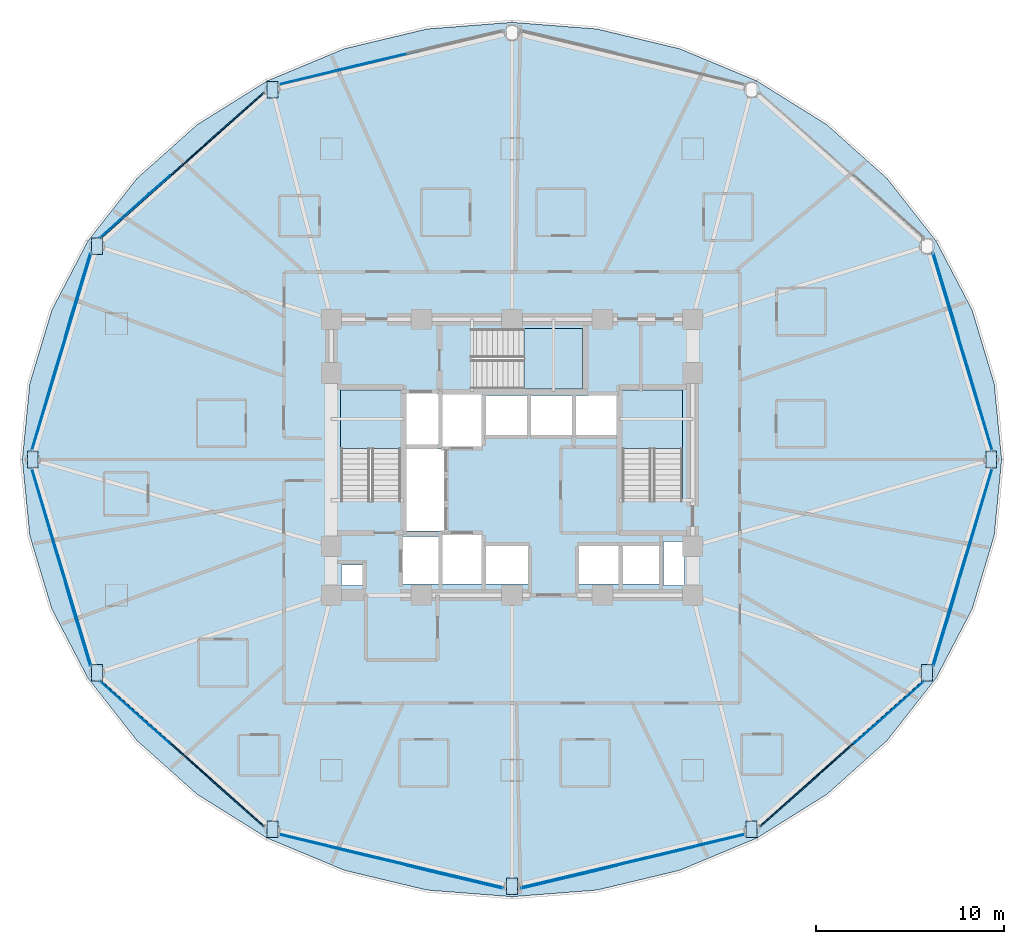
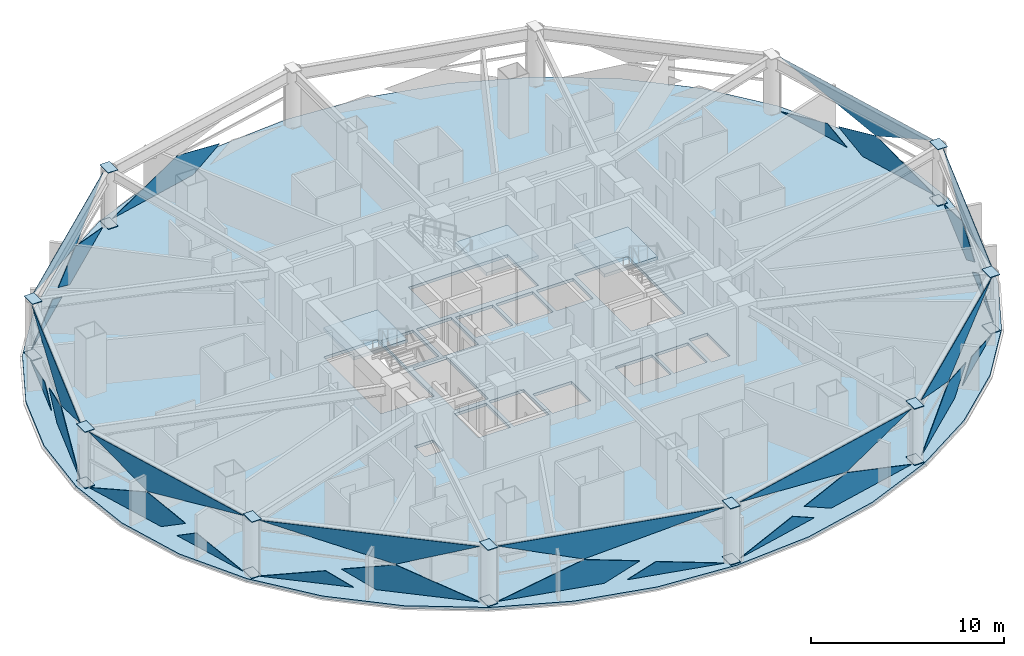
# One storey, part 22 of 31: 46 plates, 4 slabs, 13 elements without a shape of their own.
"""IFC4 building model written with IfcOpenShell, lengths in metres."""

from ifc_helpers import new_model, si_unit, direction, frame, origin, place, context, subcontext, project, spatial, polyline, outline, extrude, material, layer, layer_set, type_object, element, aggregate, save


model = new_model("IFC4")

# Units and contexts
model_context = context("Model", 3, precision=1e-05, world=origin(), true_north=direction((0.0, 1.0)))
body_context = subcontext(model_context, "Body", "Model", "MODEL_VIEW")
ifc_project = project(units=[si_unit("LENGTHUNIT", "METRE"), si_unit("AREAUNIT", "SQUARE_METRE"), si_unit("VOLUMEUNIT", "CUBIC_METRE"), si_unit("PLANEANGLEUNIT", "RADIAN"), si_unit("MASSUNIT", "GRAM", prefix="KILO")], contexts=[model_context])

# Site, building, storey
site_placement = place(None, origin())
site = spatial("IfcSite", under=ifc_project, at=site_placement, CompositionType="ELEMENT")
building_placement = place(site_placement, origin())
building = spatial("IfcBuilding", under=site, at=building_placement, Name="Vantalir Tower", CompositionType="ELEMENT")
storey_placement = place(building_placement, frame((0.0, 0.0, 30.75)))
storey = spatial("IfcBuildingStorey", under=building, at=storey_placement, Name="L06", CompositionType="ELEMENT", Elevation=30.75)

# Curtain wall, plates
ifc_material_1 = material(Name="Champagne-silver PVDF aluminium and double-silver Low-E glass", Category="aluminium")
ifc_layer_1 = layer(ifc_material_1, 0.18994140625)
ifc_layer_set_1 = layer_set([ifc_layer_1], Name="Champagne-silver PVDF aluminium and double-silver Low-E glass")
curtain_wall_type = type_object("IfcCurtainWallType", Name="CW-DIAMOND-Z1", PredefinedType="USERDEFINED", material=ifc_layer_set_1)
curtain_wall_1_placement = place(storey_placement, origin())
curtain_wall_1 = element("IfcCurtainWall", 1, at=curtain_wall_1_placement, inside=storey, type_object=curtain_wall_type, Name="L06 Quilted Pyramid-Diamond Curtain Wall S01", ObjectType="UNITISED CURTAIN WALL", PredefinedType="USERDEFINED")
ifc_material_2 = material(Name="Double-silver Low-E laminated glass IGU", Category="glass")
ifc_layer_2 = layer(ifc_material_2, 0.028076171875)
ifc_layer_set_2 = layer_set([ifc_layer_2], Name="Double-silver Low-E laminated glass IGU")
plate_type_1 = type_object("IfcPlateType", Name="CWP-IGU-28", PredefinedType="CURTAIN_PANEL", material=ifc_layer_set_2)
plate_1_placement = place(storey_placement, frame((57.00048828125, 25.46435546875, 0.046630859375), z_axis=(-0.957580328085, -0.287843874683, 0.013631546966), x_axis=(-0.287870623575, 0.957669308312, -1.3204e-07)))
plate_1 = element("IfcPlate", 2, at=plate_1_placement, type_object=plate_type_1, Name="CW-L06-S01 Pyramid Diamond Facet 1L", PredefinedType="CURTAIN_PANEL", context=body_context, shape_type="SweptSolid", body=[
    extrude(outline(polyline([(0.0, 0.0), (5.13587655801294, 0.0), (6.869216460998843, -1.0401366126116722), (4.168472823409968, -1.7264786454217962), (0.0, 0.0)])), origin(), (0.0, 0.0, -1.0), 0.028076171875),
])
plate_2_placement = place(storey_placement, frame((55.22265625, 31.489501953125, 0.046142578125), z_axis=(-0.957579219582, -0.287846735505, 0.013648995681), x_axis=(-0.287874232942, 0.957668221926, -5.2160579e-05)))
plate_2 = element("IfcPlate", 3, at=plate_2_placement, type_object=plate_type_1, Name="CW-L06-S01 Pyramid Diamond Facet 1L Infill Light", PredefinedType="CURTAIN_PANEL", context=body_context, shape_type="SweptSolid", body=[
    extrude(outline(polyline([(0.0, 0.0), (4.680558227132053, -3.2526065174565133e-19), (1.3922827567272196, -0.8355996798421579), (0.0, 0.0)])), origin(), (0.0, 0.0, -1.0), 0.028076171875),
])
plate_3_placement = place(storey_placement, frame((53.8447265625, 35.962646484375, 3.5234375), z_axis=(0.957580026399, 0.287845999241, 0.013607856633), x_axis=(0.287872943892, -0.957668610574, -2.2270845e-05)))
plate_3 = element("IfcPlate", 4, at=plate_3_placement, type_object=plate_type_1, Name="CW-L06-S01 Pyramid Diamond Facet 2U", PredefinedType="CURTAIN_PANEL", context=body_context, shape_type="SweptSolid", body=[
    extrude(outline(polyline([(0.0, 0.0), (10.962342191971805, -3.63207727782644e-18), (6.793907645136143, 1.7265710595937747), (0.0, 0.0)])), origin(), (0.0, 0.0, -1.0), 0.028076171875),
])
aggregate(curtain_wall_1, [plate_1, plate_2, plate_3])

# Curtain wall, plate
curtain_wall_2_placement = place(storey_placement, origin())
curtain_wall_2 = element("IfcCurtainWall", 5, at=curtain_wall_2_placement, inside=storey, type_object=curtain_wall_type, Name="L06 Quilted Pyramid-Diamond Curtain Wall S04", ObjectType="UNITISED CURTAIN WALL", PredefinedType="USERDEFINED")
plate_4_placement = place(storey_placement, frame((24.734130859375, 46.238037109375, 0.04638671875), z_axis=(0.232291098168, -0.972550032399, 0.013685035371), x_axis=(-0.972641250075, -0.232312282972, 4.2803868e-05)))
plate_4 = element("IfcPlate", 6, at=plate_4_placement, type_object=plate_type_1, Name="CW-L06-S04 Pyramid Diamond Facet 1L", PredefinedType="CURTAIN_PANEL", context=body_context, shape_type="SweptSolid", body=[
    extrude(outline(polyline([(0.0, 0.0), (5.739519590902644, -1.9786689647860456e-18), (1.096353085677074, -1.7271655942056519), (-1.914556375317543, -1.0402199577433893), (0.0, 0.0)])), origin(), (0.0, 0.0, -1.0), 0.028076171875),
])
aggregate(curtain_wall_2, [plate_4])

# Curtain wall, plates
curtain_wall_3_placement = place(storey_placement, origin())
curtain_wall_3 = element("IfcCurtainWall", 7, at=curtain_wall_3_placement, inside=storey, type_object=curtain_wall_type, Name="L06 Quilted Pyramid-Diamond Curtain Wall S05", ObjectType="UNITISED CURTAIN WALL", PredefinedType="USERDEFINED")
plate_5_placement = place(storey_placement, frame((18.318115234375, 44.469482421875, 0.046630859375), z_axis=(0.665325251606, -0.746426081789, 0.013799057982), x_axis=(-0.746496744743, -0.665389065195, -4.4805956e-05)))
plate_5 = element("IfcPlate", 8, at=plate_5_placement, type_object=plate_type_1, Name="CW-L06-S05 Pyramid Diamond Facet 1L", PredefinedType="CURTAIN_PANEL", context=body_context, shape_type="SweptSolid", body=[
    extrude(outline(polyline([(0.0, 0.0), (5.445019061406221, 9.75781955236954e-19), (7.272157769594705, -1.0407081275673777), (4.4160645390319555, -1.7269249622409644), (0.0, 0.0)])), origin(), (0.0, 0.0, -1.0), 0.028076171875),
])
plate_6_placement = place(storey_placement, frame((13.342529296875, 40.077392578125, 0.046142578125), z_axis=(0.665286156238, -0.746456823049, 0.014019330988), x_axis=(-0.746529729205, -0.665352057933, -4.9168789e-05)))
plate_6 = element("IfcPlate", 9, at=plate_6_placement, type_object=plate_type_1, Name="CW-L06-S05 Pyramid Diamond Facet 1L Infill Light", PredefinedType="CURTAIN_PANEL", context=body_context, shape_type="SweptSolid", body=[
    extrude(outline(polyline([(0.0, 0.0), (4.965357660067444, 1.2468324983583301e-18), (1.4735557025744332, -0.8390220969059908), (0.0, 0.0)])), origin(), (0.0, 0.0, -1.0), 0.028076171875),
])
plate_7_placement = place(storey_placement, frame((9.656982421875, 36.749755859375, 3.523681640625), z_axis=(-0.665308471731, 0.746442033151, 0.013745129627), x_axis=(0.746512362632, 0.665371544323, -2.1042743e-05)))
plate_7 = element("IfcPlate", 10, at=plate_7_placement, type_object=plate_type_1, Name="CW-L06-S05 Pyramid Diamond Facet 2U", PredefinedType="CURTAIN_PANEL", context=body_context, shape_type="SweptSolid", body=[
    extrude(outline(polyline([(0.0, 0.0), (11.60212910870832, -4.174178364069192e-18), (7.1860229842933965, 1.7270627214626602), (0.0, 0.0)])), origin(), (0.0, 0.0, -1.0), 0.028076171875),
])
aggregate(curtain_wall_3, [plate_5, plate_6, plate_7])

curtain_wall_4_placement = place(storey_placement, origin())
curtain_wall_4 = element("IfcCurtainWall", 11, at=curtain_wall_4_placement, inside=storey, type_object=curtain_wall_type, Name="L06 Quilted Pyramid-Diamond Curtain Wall S06", ObjectType="UNITISED CURTAIN WALL", PredefinedType="USERDEFINED")
plate_8_placement = place(storey_placement, frame((7.47802734375, 30.3828125, 0.046630859375), z_axis=(0.957580328085, -0.287843874683, 0.013631546966), x_axis=(-0.287870623575, -0.957669308312, 1.3204e-07)))
plate_8 = element("IfcPlate", 12, at=plate_8_placement, type_object=plate_type_1, Name="CW-L06-S06 Pyramid Diamond Facet 1L", PredefinedType="CURTAIN_PANEL", context=body_context, shape_type="SweptSolid", body=[
    extrude(outline(polyline([(0.0, 0.0), (5.13587655801294, 0.0), (0.9674037346029727, -1.7264786454217962), (-1.7333399029859031, -1.0401366126116722), (0.0, 0.0)])), origin(), (0.0, 0.0, -1.0), 0.028076171875),
])
plate_9_placement = place(storey_placement, frame((9.124755859375, 35.971923828125, 0.0458984375), z_axis=(0.957579219582, -0.287846735505, 0.013648995681), x_axis=(-0.287874232942, -0.957668221926, 5.2160579e-05)))
plate_9 = element("IfcPlate", 13, at=plate_9_placement, type_object=plate_type_1, Name="CW-L06-S06 Pyramid Diamond Facet 1L Infill Light", PredefinedType="CURTAIN_PANEL", context=body_context, shape_type="SweptSolid", body=[
    extrude(outline(polyline([(0.0, 0.0), (4.680558227132053, 3.2526065174565133e-19), (3.2882754704048334, -0.835599679842158), (0.0, 0.0)])), origin(), (0.0, 0.0, -1.0), 0.028076171875),
])
plate_10_placement = place(storey_placement, frame((5.99951171875, 25.46435546875, 3.523193359375), z_axis=(-0.957580026399, 0.287845999241, 0.013607856633), x_axis=(0.287872943892, 0.957668610574, 2.2270845e-05)))
plate_10 = element("IfcPlate", 14, at=plate_10_placement, type_object=plate_type_1, Name="CW-L06-S06 Pyramid Diamond Facet 2U", PredefinedType="CURTAIN_PANEL", context=body_context, shape_type="SweptSolid", body=[
    extrude(outline(polyline([(0.0, 0.0), (10.962342191971805, 3.63207727782644e-18), (4.168434546835662, 1.7265710595937747), (0.0, 0.0)])), origin(), (0.0, 0.0, -1.0), 0.028076171875),
])
aggregate(curtain_wall_4, [plate_8, plate_9, plate_10])

curtain_wall_5_placement = place(storey_placement, origin())
curtain_wall_5 = element("IfcCurtainWall", 15, at=curtain_wall_5_placement, inside=storey, type_object=curtain_wall_type, Name="L06 Quilted Pyramid-Diamond Curtain Wall S07", ObjectType="UNITISED CURTAIN WALL", PredefinedType="USERDEFINED")
plate_11_placement = place(storey_placement, frame((5.99951171875, 24.53564453125, 0.046630859375), z_axis=(0.957580328085, 0.287843874683, 0.013631546966), x_axis=(0.287870623575, -0.957669308312, -1.3204e-07)))
plate_11 = element("IfcPlate", 16, at=plate_11_placement, type_object=plate_type_1, Name="CW-L06-S07 Pyramid Diamond Facet 1L", PredefinedType="CURTAIN_PANEL", context=body_context, shape_type="SweptSolid", body=[
    extrude(outline(polyline([(0.0, 0.0), (5.13587655801294, 0.0), (6.869216460998843, -1.0401366126116722), (4.168472823409968, -1.7264786454217962), (0.0, 0.0)])), origin(), (0.0, 0.0, -1.0), 0.028076171875),
])
plate_12_placement = place(storey_placement, frame((7.77734375, 18.510498046875, 0.046142578125), z_axis=(0.957579219582, 0.287846735505, 0.013648995681), x_axis=(0.287874232942, -0.957668221926, -5.2160579e-05)))
plate_12 = element("IfcPlate", 17, at=plate_12_placement, type_object=plate_type_1, Name="CW-L06-S07 Pyramid Diamond Facet 1L Infill Light", PredefinedType="CURTAIN_PANEL", context=body_context, shape_type="SweptSolid", body=[
    extrude(outline(polyline([(0.0, 0.0), (4.680558227132053, -3.2526065174565133e-19), (1.3922827567272196, -0.8355996798421579), (0.0, 0.0)])), origin(), (0.0, 0.0, -1.0), 0.028076171875),
])
plate_13_placement = place(storey_placement, frame((9.1552734375, 14.037353515625, 3.5234375), z_axis=(-0.957580026399, -0.287845999241, 0.013607856633), x_axis=(-0.287872943892, 0.957668610574, -2.2270845e-05)))
plate_13 = element("IfcPlate", 18, at=plate_13_placement, type_object=plate_type_1, Name="CW-L06-S07 Pyramid Diamond Facet 2U", PredefinedType="CURTAIN_PANEL", context=body_context, shape_type="SweptSolid", body=[
    extrude(outline(polyline([(0.0, 0.0), (10.962342191971805, -3.63207727782644e-18), (6.793907645136143, 1.7265710595937747), (0.0, 0.0)])), origin(), (0.0, 0.0, -1.0), 0.028076171875),
])
aggregate(curtain_wall_5, [plate_11, plate_12, plate_13])

curtain_wall_6_placement = place(storey_placement, origin())
curtain_wall_6 = element("IfcCurtainWall", 19, at=curtain_wall_6_placement, inside=storey, type_object=curtain_wall_type, Name="L06 Quilted Pyramid-Diamond Curtain Wall S08", ObjectType="UNITISED CURTAIN WALL", PredefinedType="USERDEFINED")
plate_14_placement = place(storey_placement, frame((14.25341796875, 9.153564453125, 0.04638671875), z_axis=(0.665325251606, 0.746426081789, 0.013799057982), x_axis=(0.746496744743, -0.665389065195, 4.4805956e-05)))
plate_14 = element("IfcPlate", 20, at=plate_14_placement, type_object=plate_type_1, Name="CW-L06-S08 Pyramid Diamond Facet 1L", PredefinedType="CURTAIN_PANEL", context=body_context, shape_type="SweptSolid", body=[
    extrude(outline(polyline([(0.0, 0.0), (5.445019061406221, -9.75781955236954e-19), (1.0289545223742655, -1.7269249622409644), (-1.8271387081884845, -1.040708127567378), (0.0, 0.0)])), origin(), (0.0, 0.0, -1.0), 0.028076171875),
])
plate_15_placement = place(storey_placement, frame((9.6357421875, 13.226318359375, 0.0458984375), z_axis=(0.665286156238, 0.746456823049, 0.014019330988), x_axis=(0.746529729205, -0.665352057933, 4.9168789e-05)))
plate_15 = element("IfcPlate", 21, at=plate_15_placement, type_object=plate_type_1, Name="CW-L06-S08 Pyramid Diamond Facet 1L Infill Light", PredefinedType="CURTAIN_PANEL", context=body_context, shape_type="SweptSolid", body=[
    extrude(outline(polyline([(0.0, 0.0), (4.965357660067444, -1.2468324983583301e-18), (3.491801957493011, -0.8390220969059908), (0.0, 0.0)])), origin(), (0.0, 0.0, -1.0), 0.028076171875),
])
plate_16_placement = place(storey_placement, frame((18.318115234375, 5.530517578125, 3.5234375), z_axis=(-0.665308471731, -0.746442033151, 0.013745129627), x_axis=(-0.746512362632, 0.665371544323, 2.1042743e-05)))
plate_16 = element("IfcPlate", 22, at=plate_16_placement, type_object=plate_type_1, Name="CW-L06-S08 Pyramid Diamond Facet 2U", PredefinedType="CURTAIN_PANEL", context=body_context, shape_type="SweptSolid", body=[
    extrude(outline(polyline([(0.0, 0.0), (11.60212910870832, 4.174178364069192e-18), (4.416106124414924, 1.72706272146266), (0.0, 0.0)])), origin(), (0.0, 0.0, -1.0), 0.028076171875),
])
aggregate(curtain_wall_6, [plate_14, plate_15, plate_16])

curtain_wall_7_placement = place(storey_placement, origin())
curtain_wall_7 = element("IfcCurtainWall", 23, at=curtain_wall_7_placement, inside=storey, type_object=curtain_wall_type, Name="L06 Quilted Pyramid-Diamond Curtain Wall S09", ObjectType="UNITISED CURTAIN WALL", PredefinedType="USERDEFINED")
plate_17_placement = place(storey_placement, frame((19.151611328125, 5.09521484375, 0.046630859375), z_axis=(0.232291098168, 0.972550032399, 0.013685035371), x_axis=(0.972641250075, -0.232312282972, -4.2803868e-05)))
plate_17 = element("IfcPlate", 24, at=plate_17_placement, type_object=plate_type_1, Name="CW-L06-S09 Pyramid Diamond Facet 1L", PredefinedType="CURTAIN_PANEL", context=body_context, shape_type="SweptSolid", body=[
    extrude(outline(polyline([(0.0, 0.0), (5.739519590902644, 1.9786689647860456e-18), (7.654075966220186, -1.0402199577433895), (4.64316650522557, -1.7271655942056516), (0.0, 0.0)])), origin(), (0.0, 0.0, -1.0), 0.028076171875),
])
plate_18_placement = place(storey_placement, frame((25.927001953125, 3.444091796875, 0.0458984375), z_axis=(0.232266858314, 0.972556291134, 0.013651633766), x_axis=(0.972646930053, -0.232288504791, 0.0)))
plate_18 = element("IfcPlate", 25, at=plate_18_placement, type_object=plate_type_1, Name="CW-L06-S09 Pyramid Diamond Facet 1L Infill Light", PredefinedType="CURTAIN_PANEL", context=body_context, shape_type="SweptSolid", body=[
    extrude(outline(polyline([(0.0, 0.0), (5.23724897825539, 0.0), (1.5494455347339522, -0.8416311642109189), (0.0, 0.0)])), origin(), (0.0, 0.0, -1.0), 0.028076171875),
])
plate_19_placement = place(storey_placement, frame((31.0283203125, 2.258544921875, 3.523681640625), z_axis=(-0.232287531806, -0.972551676666, 0.013628601564), x_axis=(-0.972642072645, 0.232308842109, -1.9993876e-05)))
plate_19 = element("IfcPlate", 26, at=plate_19_placement, type_object=plate_type_1, Name="CW-L06-S09 Pyramid Diamond Facet 2U", PredefinedType="CURTAIN_PANEL", context=body_context, shape_type="SweptSolid", body=[
    extrude(outline(polyline([(0.0, 0.0), (12.210770352635775, -1.2468324983583301e-17), (7.567564543773729, 1.7273040383975622), (0.0, 0.0)])), origin(), (0.0, 0.0, -1.0), 0.028076171875),
])
aggregate(curtain_wall_7, [plate_17, plate_18, plate_19])

curtain_wall_8_placement = place(storey_placement, origin())
curtain_wall_8 = element("IfcCurtainWall", 27, at=curtain_wall_8_placement, inside=storey, type_object=curtain_wall_type, Name="L06 Quilted Pyramid-Diamond Curtain Wall S10", ObjectType="UNITISED CURTAIN WALL", PredefinedType="USERDEFINED")
plate_20_placement = place(storey_placement, frame((38.265869140625, 3.761962890625, 0.04638671875), z_axis=(-0.232291098168, 0.972550032399, 0.013685035371), x_axis=(0.972641250075, 0.232312282972, 4.2803868e-05)))
plate_20 = element("IfcPlate", 28, at=plate_20_placement, type_object=plate_type_1, Name="CW-L06-S10 Pyramid Diamond Facet 1L", PredefinedType="CURTAIN_PANEL", context=body_context, shape_type="SweptSolid", body=[
    extrude(outline(polyline([(0.0, 0.0), (5.739519590902644, -1.9786689647860456e-18), (1.096353085677074, -1.7271655942056519), (-1.914556375317543, -1.0402199577433893), (0.0, 0.0)])), origin(), (0.0, 0.0, -1.0), 0.028076171875),
])
plate_21_placement = place(storey_placement, frame((31.97900390625, 2.2275390625, 0.0458984375), z_axis=(-0.232266858314, 0.972556291134, 0.013651633766), x_axis=(0.972646930053, 0.232288504791, 0.0)))
plate_21 = element("IfcPlate", 29, at=plate_21_placement, type_object=plate_type_1, Name="CW-L06-S10 Pyramid Diamond Facet 1L Infill Light", PredefinedType="CURTAIN_PANEL", context=body_context, shape_type="SweptSolid", body=[
    extrude(outline(polyline([(0.0, 0.0), (5.23724897825539, 0.0), (3.687803443521438, -0.8416311642109189), (0.0, 0.0)])), origin(), (0.0, 0.0, -1.0), 0.028076171875),
])
plate_22_placement = place(storey_placement, frame((43.848388671875, 5.09521484375, 3.5234375), z_axis=(0.232287531806, -0.972551676666, 0.013628601564), x_axis=(-0.972642072645, -0.232308842109, 1.9993876e-05)))
plate_22 = element("IfcPlate", 30, at=plate_22_placement, type_object=plate_type_1, Name="CW-L06-S10 Pyramid Diamond Facet 2U", PredefinedType="CURTAIN_PANEL", context=body_context, shape_type="SweptSolid", body=[
    extrude(outline(polyline([(0.0, 0.0), (12.210770352635775, 1.2468324983583301e-17), (4.643205808862046, 1.7273040383975622), (0.0, 0.0)])), origin(), (0.0, 0.0, -1.0), 0.028076171875),
])
aggregate(curtain_wall_8, [plate_20, plate_21, plate_22])

curtain_wall_9_placement = place(storey_placement, origin())
curtain_wall_9 = element("IfcCurtainWall", 31, at=curtain_wall_9_placement, inside=storey, type_object=curtain_wall_type, Name="L06 Quilted Pyramid-Diamond Curtain Wall S11", ObjectType="UNITISED CURTAIN WALL", PredefinedType="USERDEFINED")
plate_23_placement = place(storey_placement, frame((44.681884765625, 5.530517578125, 0.046630859375), z_axis=(-0.665325251606, 0.746426081789, 0.013799057982), x_axis=(0.746496744743, 0.665389065195, -4.4805956e-05)))
plate_23 = element("IfcPlate", 32, at=plate_23_placement, type_object=plate_type_1, Name="CW-L06-S11 Pyramid Diamond Facet 1L", PredefinedType="CURTAIN_PANEL", context=body_context, shape_type="SweptSolid", body=[
    extrude(outline(polyline([(0.0, 0.0), (5.445019061406221, 9.75781955236954e-19), (7.272157769594705, -1.0407081275673777), (4.4160645390319555, -1.7269249622409644), (0.0, 0.0)])), origin(), (0.0, 0.0, -1.0), 0.028076171875),
])
plate_24_placement = place(storey_placement, frame((49.657470703125, 9.922607421875, 0.046142578125), z_axis=(-0.665286156238, 0.746456823049, 0.014019330988), x_axis=(0.746529729205, 0.665352057933, -4.9168789e-05)))
plate_24 = element("IfcPlate", 33, at=plate_24_placement, type_object=plate_type_1, Name="CW-L06-S11 Pyramid Diamond Facet 1L Infill Light", PredefinedType="CURTAIN_PANEL", context=body_context, shape_type="SweptSolid", body=[
    extrude(outline(polyline([(0.0, 0.0), (4.965357660067444, 1.2468324983583301e-18), (1.4735557025744332, -0.8390220969059908), (0.0, 0.0)])), origin(), (0.0, 0.0, -1.0), 0.028076171875),
])
plate_25_placement = place(storey_placement, frame((53.343017578125, 13.250244140625, 3.523681640625), z_axis=(0.665308471731, -0.746442033151, 0.013745129627), x_axis=(-0.746512362632, -0.665371544323, -2.1042743e-05)))
plate_25 = element("IfcPlate", 34, at=plate_25_placement, type_object=plate_type_1, Name="CW-L06-S11 Pyramid Diamond Facet 2U", PredefinedType="CURTAIN_PANEL", context=body_context, shape_type="SweptSolid", body=[
    extrude(outline(polyline([(0.0, 0.0), (11.60212910870832, -4.174178364069192e-18), (7.1860229842933965, 1.7270627214626602), (0.0, 0.0)])), origin(), (0.0, 0.0, -1.0), 0.028076171875),
])
aggregate(curtain_wall_9, [plate_23, plate_24, plate_25])

curtain_wall_10_placement = place(storey_placement, origin())
curtain_wall_10 = element("IfcCurtainWall", 35, at=curtain_wall_10_placement, inside=storey, type_object=curtain_wall_type, Name="L06 Quilted Pyramid-Diamond Curtain Wall S12", ObjectType="UNITISED CURTAIN WALL", PredefinedType="USERDEFINED")
plate_26_placement = place(storey_placement, frame((55.52197265625, 19.6171875, 0.046630859375), z_axis=(-0.957580328085, 0.287843874683, 0.013631546966), x_axis=(0.287870623575, 0.957669308312, 1.3204e-07)))
plate_26 = element("IfcPlate", 36, at=plate_26_placement, type_object=plate_type_1, Name="CW-L06-S12 Pyramid Diamond Facet 1L", PredefinedType="CURTAIN_PANEL", context=body_context, shape_type="SweptSolid", body=[
    extrude(outline(polyline([(0.0, 0.0), (5.13587655801294, 0.0), (0.9674037346029727, -1.7264786454217962), (-1.7333399029859031, -1.0401366126116722), (0.0, 0.0)])), origin(), (0.0, 0.0, -1.0), 0.028076171875),
])
plate_27_placement = place(storey_placement, frame((53.875244140625, 14.028076171875, 0.0458984375), z_axis=(-0.957579219582, 0.287846735505, 0.013648995681), x_axis=(0.287874232942, 0.957668221926, 5.2160579e-05)))
plate_27 = element("IfcPlate", 37, at=plate_27_placement, type_object=plate_type_1, Name="CW-L06-S12 Pyramid Diamond Facet 1L Infill Light", PredefinedType="CURTAIN_PANEL", context=body_context, shape_type="SweptSolid", body=[
    extrude(outline(polyline([(0.0, 0.0), (4.680558227132053, 3.2526065174565133e-19), (3.2882754704048334, -0.835599679842158), (0.0, 0.0)])), origin(), (0.0, 0.0, -1.0), 0.028076171875),
])
plate_28_placement = place(storey_placement, frame((57.00048828125, 24.53564453125, 3.523193359375), z_axis=(0.957580026399, -0.287845999241, 0.013607856633), x_axis=(-0.287872943892, -0.957668610574, 2.2270845e-05)))
plate_28 = element("IfcPlate", 38, at=plate_28_placement, type_object=plate_type_1, Name="CW-L06-S12 Pyramid Diamond Facet 2U", PredefinedType="CURTAIN_PANEL", context=body_context, shape_type="SweptSolid", body=[
    extrude(outline(polyline([(0.0, 0.0), (10.962342191971805, 3.63207727782644e-18), (4.168434546835662, 1.7265710595937747), (0.0, 0.0)])), origin(), (0.0, 0.0, -1.0), 0.028076171875),
])
aggregate(curtain_wall_10, [plate_26, plate_27, plate_28])

# Plates
ifc_material_3 = material(Name="Steel S460", Category="steel")
ifc_layer_3 = layer(ifc_material_3, 0.035888671875)
ifc_layer_set_3 = layer_set([ifc_layer_3], Name="Steel S460")
plate_type_2 = type_object("IfcPlateType", Name="PLT-KN-Z2", PredefinedType="USERDEFINED", material=ifc_layer_set_3)
for number, where, z_axis, x_axis, name in (
    (39, (56.659912109375, 25.43994140625, 3.597900390625), (0.0, 0.0, 1.0), (0.0, -1.0, 0.0), "L06 Ring Column Top Cap RC01"),
    (40, (56.659912109375, 25.43994140625, 0.052978515625), (0.0, 0.0, 1.0), (0.0, -1.0, 0.0), "L06 Ring Column Base Cap RC01"),
):
    element("IfcPlate", number, at=place(storey_placement, frame(where, z_axis=z_axis, x_axis=x_axis)), inside=storey, type_object=plate_type_2, Name=name, ObjectType="FLANGE_PLATE", PredefinedType="USERDEFINED", context=body_context, shape_type="SweptSolid", body=[
        extrude(outline(polyline([(0.0, 0.0), (0.8798828125, 0.0), (0.8798828125, 0.580078125), (0.0, 0.580078125), (0.0, 0.0)])), origin(), (0.0, 0.0, -1.0), 0.035888671875),
    ])
for number, where, z_axis, x_axis, name in (
    (41, (18.485107421875, 45.068115234375, 3.597900390625), (0.0, 0.0, 1.0), (0.0, -1.0, 0.0), "L06 Ring Column Top Cap RC05"),
    (42, (18.485107421875, 45.068115234375, 0.052978515625), (0.0, 0.0, 1.0), (0.0, -1.0, 0.0), "L06 Ring Column Base Cap RC05"),
):
    element("IfcPlate", number, at=place(storey_placement, frame(where, z_axis=z_axis, x_axis=x_axis)), inside=storey, type_object=plate_type_2, Name=name, ObjectType="FLANGE_PLATE", PredefinedType="USERDEFINED", context=body_context, shape_type="SweptSolid", body=[
        extrude(outline(polyline([(0.0, 0.0), (0.880126953125, 0.0), (0.880126953125, 0.579833984375), (0.0, 0.579833984375), (0.0, 0.0)])), origin(), (0.0, 0.0, -1.0), 0.035888671875),
    ])
for number, where, z_axis, x_axis, name in (
    (43, (9.169921875, 36.77197265625, 3.597900390625), (0.0, 0.0, 1.0), (0.0, -1.0, 0.0), "L06 Ring Column Top Cap RC06"),
    (44, (9.169921875, 36.77197265625, 0.052978515625), (0.0, 0.0, 1.0), (0.0, -1.0, 0.0), "L06 Ring Column Base Cap RC06"),
    (45, (5.760009765625, 25.43994140625, 3.597900390625), (0.0, 0.0, 1.0), (0.0, -1.0, 0.0), "L06 Ring Column Top Cap RC07"),
    (46, (5.760009765625, 25.43994140625, 0.052978515625), (0.0, 0.0, 1.0), (0.0, -1.0, 0.0), "L06 Ring Column Base Cap RC07"),
    (47, (9.169921875, 14.10791015625, 3.597900390625), (0.0, 0.0, 1.0), (0.0, -1.0, 0.0), "L06 Ring Column Top Cap RC08"),
    (48, (9.169921875, 14.10791015625, 0.052978515625), (0.0, 0.0, 1.0), (0.0, -1.0, 0.0), "L06 Ring Column Base Cap RC08"),
):
    element("IfcPlate", number, at=place(storey_placement, frame(where, z_axis=z_axis, x_axis=x_axis)), inside=storey, type_object=plate_type_2, Name=name, ObjectType="FLANGE_PLATE", PredefinedType="USERDEFINED", context=body_context, shape_type="SweptSolid", body=[
        extrude(outline(polyline([(0.0, 0.0), (0.8798828125, 0.0), (0.8798828125, 0.580078125), (0.0, 0.580078125), (0.0, 0.0)])), origin(), (0.0, 0.0, -1.0), 0.035888671875),
    ])
for number, where, z_axis, x_axis, name in (
    (49, (18.485107421875, 5.81201171875, 3.597900390625), (0.0, 0.0, 1.0), (0.0, -1.0, 0.0), "L06 Ring Column Top Cap RC09"),
    (50, (18.485107421875, 5.81201171875, 0.052978515625), (0.0, 0.0, 1.0), (0.0, -1.0, 0.0), "L06 Ring Column Base Cap RC09"),
):
    element("IfcPlate", number, at=place(storey_placement, frame(where, z_axis=z_axis, x_axis=x_axis)), inside=storey, type_object=plate_type_2, Name=name, ObjectType="FLANGE_PLATE", PredefinedType="USERDEFINED", context=body_context, shape_type="SweptSolid", body=[
        extrude(outline(polyline([(0.0, 0.0), (0.880126953125, 0.0), (0.880126953125, 0.579833984375), (0.0, 0.579833984375), (0.0, 0.0)])), origin(), (0.0, 0.0, -1.0), 0.035888671875),
    ])
for number, where, z_axis, x_axis, name in (
    (51, (31.2099609375, 2.77587890625, 3.597900390625), (0.0, 0.0, 1.0), (0.0, -1.0, 0.0), "L06 Ring Column Top Cap RC10"),
    (52, (31.2099609375, 2.77587890625, 0.052978515625), (0.0, 0.0, 1.0), (0.0, -1.0, 0.0), "L06 Ring Column Base Cap RC10"),
):
    element("IfcPlate", number, at=place(storey_placement, frame(where, z_axis=z_axis, x_axis=x_axis)), inside=storey, type_object=plate_type_2, Name=name, ObjectType="FLANGE_PLATE", PredefinedType="USERDEFINED", context=body_context, shape_type="SweptSolid", body=[
        extrude(outline(polyline([(0.0, 0.0), (0.8798828125, 0.0), (0.8798828125, 0.580078125), (0.0, 0.580078125), (0.0, 0.0)])), origin(), (0.0, 0.0, -1.0), 0.035888671875),
    ])
for number, where, z_axis, x_axis, name in (
    (53, (43.93505859375, 5.81201171875, 3.597900390625), (0.0, 0.0, 1.0), (0.0, -1.0, 0.0), "L06 Ring Column Top Cap RC11"),
    (54, (43.93505859375, 5.81201171875, 0.052978515625), (0.0, 0.0, 1.0), (0.0, -1.0, 0.0), "L06 Ring Column Base Cap RC11"),
):
    element("IfcPlate", number, at=place(storey_placement, frame(where, z_axis=z_axis, x_axis=x_axis)), inside=storey, type_object=plate_type_2, Name=name, ObjectType="FLANGE_PLATE", PredefinedType="USERDEFINED", context=body_context, shape_type="SweptSolid", body=[
        extrude(outline(polyline([(0.0, 0.0), (0.880126953125, 0.0), (0.880126953125, 0.579833984375), (0.0, 0.579833984375), (0.0, 0.0)])), origin(), (0.0, 0.0, -1.0), 0.035888671875),
    ])
for number, where, z_axis, x_axis, name in (
    (55, (53.25, 14.10791015625, 3.597900390625), (0.0, 0.0, 1.0), (0.0, -1.0, 0.0), "L06 Ring Column Top Cap RC12"),
    (56, (53.25, 14.10791015625, 0.052978515625), (0.0, 0.0, 1.0), (0.0, -1.0, 0.0), "L06 Ring Column Base Cap RC12"),
):
    element("IfcPlate", number, at=place(storey_placement, frame(where, z_axis=z_axis, x_axis=x_axis)), inside=storey, type_object=plate_type_2, Name=name, ObjectType="FLANGE_PLATE", PredefinedType="USERDEFINED", context=body_context, shape_type="SweptSolid", body=[
        extrude(outline(polyline([(0.0, 0.0), (0.8798828125, 0.0), (0.8798828125, 0.580078125), (0.0, 0.580078125), (0.0, 0.0)])), origin(), (0.0, 0.0, -1.0), 0.035888671875),
    ])

# Stair, slab
ifc_material_4 = material(Name="Concrete C40/50", Category="concrete")
stair_type = type_object("IfcStairType", Name="STR-CORE-1450", PredefinedType="HALF_TURN_STAIR", material=ifc_material_4)
stair_1_placement = place(storey_placement, origin())
stair_1 = element("IfcStair", 57, at=stair_1_placement, inside=storey, type_object=stair_type, Name="L06 Core Exit Stair 1", PredefinedType="HALF_TURN_STAIR")
ifc_layer_4 = layer(ifc_material_4, 0.199951171875)
ifc_layer_set_4 = layer_set([ifc_layer_4], Name="Concrete C40/50")
slab_type_1 = type_object("IfcSlabType", Name="SL-LAND-200", PredefinedType="LANDING", material=ifc_layer_set_4)
slab_1_placement = place(storey_placement, frame((0.0, 0.0, 1.675048828125)))
slab_1 = element("IfcSlab", 58, at=slab_1_placement, type_object=slab_type_1, Name="ST1 landing 1", PredefinedType="LANDING", context=body_context, shape_type="SweptSolid", body=[
    extrude(outline(polyline([(25.60009765625, 25.590087890625), (25.60009765625, 28.699951171875), (22.39990234375, 28.699951171875), (22.39990234375, 25.590087890625), (25.60009765625, 25.590087890625)])), origin(), (0.0, 0.0, 1.0), 0.199951171875),
])
aggregate(stair_1, [slab_1])

stair_2_placement = place(storey_placement, origin())
stair_2 = element("IfcStair", 59, at=stair_2_placement, inside=storey, type_object=stair_type, Name="L06 Core Exit Stair 2", PredefinedType="HALF_TURN_STAIR")
slab_2_placement = place(storey_placement, frame((0.0, 0.0, 1.675048828125)))
slab_2 = element("IfcSlab", 60, at=slab_2_placement, type_object=slab_type_1, Name="ST2 landing 1", PredefinedType="LANDING", context=body_context, shape_type="SweptSolid", body=[
    extrude(outline(polyline([(40.550048828125, 25.590087890625), (40.550048828125, 28.699951171875), (37.35009765625, 28.699951171875), (37.35009765625, 25.590087890625), (40.550048828125, 25.590087890625)])), origin(), (0.0, 0.0, 1.0), 0.199951171875),
])
aggregate(stair_2, [slab_2])

stair_3_placement = place(storey_placement, origin())
stair_3 = element("IfcStair", 61, at=stair_3_placement, inside=storey, type_object=stair_type, Name="L06 Core Exit Stair 3", PredefinedType="HALF_TURN_STAIR")
slab_3_placement = place(storey_placement, frame((0.0, 0.0, 1.675048828125)))
slab_3 = element("IfcSlab", 62, at=slab_3_placement, type_object=slab_type_1, Name="ST3 landing 1", PredefinedType="LANDING", context=body_context, shape_type="SweptSolid", body=[
    extrude(outline(polyline([(32.139892578125, 28.75), (35.25, 28.75), (35.25, 31.949951171875), (32.139892578125, 31.949951171875), (32.139892578125, 28.75)])), origin(), (0.0, 0.0, 1.0), 0.199951171875),
])
aggregate(stair_3, [slab_3])

# Slab
ifc_layer_5 = layer(ifc_material_4, 0.179931640625)
ifc_layer_set_5 = layer_set([ifc_layer_5], Name="Concrete C40/50")
slab_type_2 = type_object("IfcSlabType", Name="SL-TWR-180", PredefinedType="FLOOR", material=ifc_layer_set_5)
slab_4_placement = place(storey_placement, frame((0.0, 0.0, -0.179931640625)))
element("IfcSlab", 63, at=slab_4_placement, inside=storey, type_object=slab_type_2, Name="L06 Primary Structural Slab", PredefinedType="FLOOR", context=body_context, shape_type="SweptSolid", body=[
    extrude(outline(polyline([(8.98291015625, 13.39306640625), (11.5830078125, 10.077880859375), (14.7880859375, 7.217041015625), (18.5, 4.89599609375), (22.60693359375, 3.18603515625), (26.985107421875, 2.138916015625), (31.5, 1.785888671875), (36.014892578125, 2.138916015625), (40.39306640625, 3.18603515625), (44.5, 4.89599609375), (48.2119140625, 7.217041015625), (51.4169921875, 10.077880859375), (54.01708984375, 13.39306640625), (55.931884765625, 17.06005859375), (57.10498046875, 20.968994140625), (57.5, 25.0), (57.10498046875, 29.031005859375), (55.931884765625, 32.93994140625), (54.01708984375, 36.60693359375), (51.4169921875, 39.922119140625), (48.2119140625, 42.782958984375), (44.5, 45.10400390625), (40.39306640625, 46.81396484375), (36.014892578125, 47.861083984375), (31.5, 48.214111328125), (26.985107421875, 47.861083984375), (22.60693359375, 46.81396484375), (18.5, 45.10400390625), (14.7880859375, 42.782958984375), (11.5830078125, 39.922119140625), (8.98291015625, 36.60693359375), (7.068115234375, 32.93994140625), (5.89501953125, 29.031005859375), (5.5, 25.0), (5.89501953125, 20.968994140625), (7.068115234375, 17.06005859375), (8.98291015625, 13.39306640625)]), holes=[polyline([(22.39990234375, 22.7900390625), (22.39990234375, 28.699951171875), (25.60009765625, 28.699951171875), (25.60009765625, 22.7900390625), (22.39990234375, 22.7900390625)]), polyline([(37.35009765625, 28.699951171875), (40.550048828125, 28.699951171875), (40.550048828125, 22.7900390625), (37.35009765625, 22.7900390625), (37.35009765625, 28.699951171875)]), polyline([(35.25, 28.75), (29.340087890625, 28.75), (29.340087890625, 31.949951171875), (35.25, 31.949951171875), (35.25, 28.75)]), polyline([(27.60009765625, 18.39990234375), (25.699951171875, 18.39990234375), (25.699951171875, 20.89990234375), (27.60009765625, 20.89990234375), (27.60009765625, 18.39990234375)]), polyline([(25.699951171875, 25.800048828125), (25.699951171875, 28.5), (27.60009765625, 28.5), (27.60009765625, 25.800048828125), (25.699951171875, 25.800048828125)]), polyline([(27.800048828125, 21.0), (29.89990234375, 21.0), (29.89990234375, 18.39990234375), (27.800048828125, 18.39990234375), (27.800048828125, 21.0)]), polyline([(29.89990234375, 28.5), (29.89990234375, 25.699951171875), (27.800048828125, 25.699951171875), (27.800048828125, 28.5), (29.89990234375, 28.5)]), polyline([(32.39990234375, 18.39990234375), (30.10009765625, 18.39990234375), (30.10009765625, 20.39990234375), (32.39990234375, 20.39990234375), (32.39990234375, 18.39990234375)]), polyline([(37.35009765625, 18.39990234375), (37.35009765625, 20.39990234375), (39.35009765625, 20.39990234375), (39.35009765625, 18.39990234375), (37.35009765625, 18.39990234375)]), polyline([(35.0, 20.39990234375), (37.199951171875, 20.39990234375), (37.199951171875, 18.39990234375), (35.0, 18.39990234375), (35.0, 20.39990234375)]), polyline([(32.300048828125, 28.39990234375), (32.300048828125, 26.300048828125), (30.10009765625, 26.300048828125), (30.10009765625, 28.39990234375), (32.300048828125, 28.39990234375)]), polyline([(34.699951171875, 26.300048828125), (32.5, 26.300048828125), (32.5, 28.39990234375), (34.699951171875, 28.39990234375), (34.699951171875, 26.300048828125)]), polyline([(34.89990234375, 26.300048828125), (34.89990234375, 28.39990234375), (37.10009765625, 28.39990234375), (37.10009765625, 26.300048828125), (34.89990234375, 26.300048828125)]), polyline([(25.889892578125, 25.56005859375), (27.89990234375, 25.56005859375), (27.89990234375, 21.199951171875), (25.889892578125, 21.199951171875), (25.889892578125, 25.56005859375)]), polyline([(23.550048828125, 19.39990234375), (23.550048828125, 18.300048828125), (22.449951171875, 18.300048828125), (22.449951171875, 19.39990234375), (23.550048828125, 19.39990234375)]), polyline([(40.64990234375, 18.300048828125), (39.550048828125, 18.300048828125), (39.550048828125, 20.64990234375), (40.64990234375, 20.64990234375), (40.64990234375, 18.300048828125)])]), origin(), (0.0, 0.0, 1.0), 0.179931640625),
])

save(model, "model.ifc")
